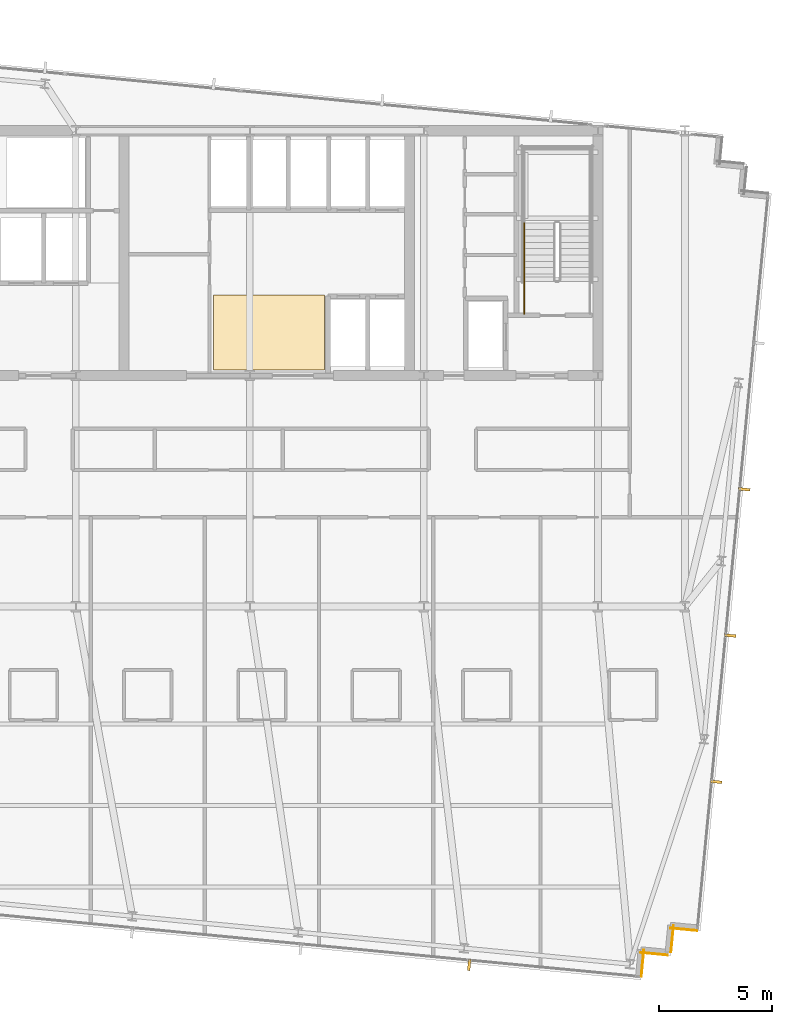
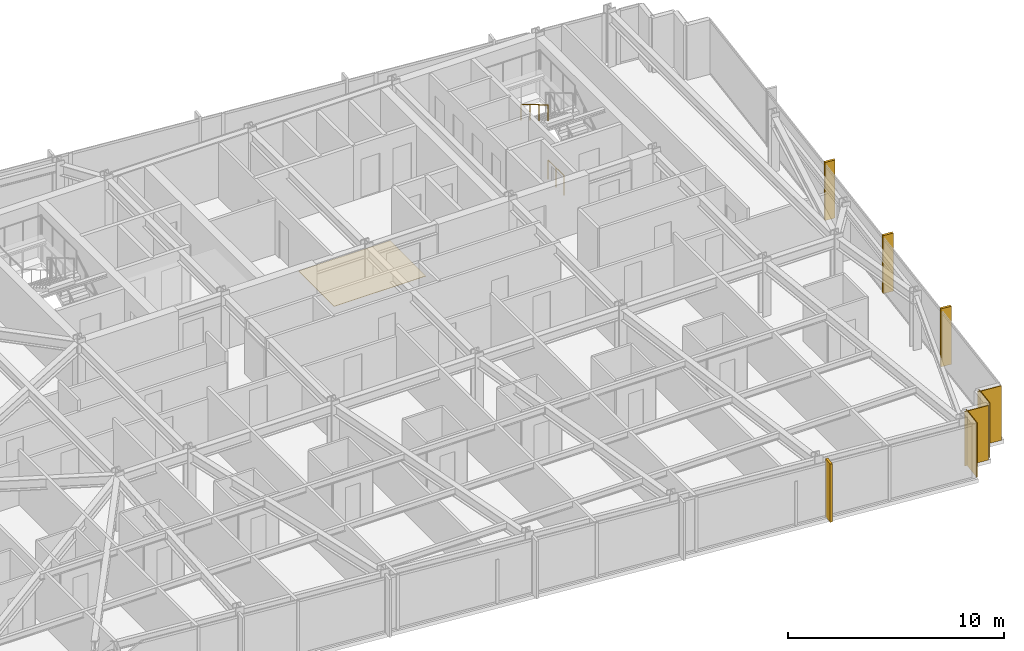
# One storey, part 35 of 38: 5 coverings, 4 shading devices, 2 railings.
"""IFC4 building model written with IfcOpenShell, lengths in metres."""

from ifc_helpers import new_model, si_unit, direction, frame, frame_2d, origin, origin_2d, place, context, subcontext, project, spatial, polyline, rectangle, circle, outline, extrude, material, layer, layer_set, type_object, element, save


model = new_model("IFC4")

# Units and contexts
model_context = context("Model", 3, precision=1e-05, world=origin(), true_north=direction((0.0, 1.0)))
body_context = subcontext(model_context, "Body", "Model", "MODEL_VIEW")
ifc_project = project(units=[si_unit("LENGTHUNIT", "METRE"), si_unit("AREAUNIT", "SQUARE_METRE"), si_unit("VOLUMEUNIT", "CUBIC_METRE"), si_unit("PLANEANGLEUNIT", "RADIAN"), si_unit("MASSUNIT", "GRAM", prefix="KILO")], contexts=[model_context])

# Site, building, storey
site_placement = place(None, origin())
site = spatial("IfcSite", under=ifc_project, at=site_placement, CompositionType="ELEMENT")
building_placement = place(site_placement, origin())
building = spatial("IfcBuilding", under=site, at=building_placement, Name="Yelkora Congress Tower", CompositionType="ELEMENT")
storey_placement = place(building_placement, frame((0.0, 0.0, 178.699951171875)))
storey = spatial("IfcBuildingStorey", under=building, at=storey_placement, Name="L49", CompositionType="ELEMENT", Elevation=178.699951171875)

# Coverings
ifc_material_1 = material(Name="Anatolian bush-hammered limestone", Category="masonry")
ifc_layer_1 = layer(ifc_material_1, 0.0400390625)
ifc_layer_set_1 = layer_set([ifc_layer_1], Name="Anatolian bush-hammered limestone")
covering_type_1 = type_object("IfcCoveringType", Name="COV-CLAD-SPANDREL-40", PredefinedType="CLADDING", material=ifc_layer_set_1)
covering_1_placement = place(storey_placement, frame((58.1474609375, 10.898681640625, 0.0), z_axis=(0.0, 0.0, 1.0), x_axis=(-0.995379537303, 0.096018626938, 0.0)))
element("IfcCovering", 1, at=covering_1_placement, inside=storey, type_object=covering_type_1, Name="L49 Anatolian Limestone Cladding EW-L49-SR16", PredefinedType="CLADDING", context=body_context, shape_type="SweptSolid", body=[
    extrude(rectangle(XDim=1.2001953125, YDim=0.0400390625, at=frame_2d((0.60009765625, 0.0))), origin(), (0.0, 0.0, 1.0), 3.080078125),
])
covering_2_placement = place(storey_placement, frame((57.10009765625, 11.13525390625, 0.0), z_axis=(0.0, 0.0, 1.0), x_axis=(-0.095836473879, -0.995397091755, 0.0)))
element("IfcCovering", 2, at=covering_2_placement, inside=storey, type_object=covering_type_1, Name="L49 Anatolian Limestone Cladding EW-L49-SR17", PredefinedType="CLADDING", context=body_context, shape_type="SweptSolid", body=[
    extrude(rectangle(XDim=1.199951171875, YDim=0.0400390625, at=frame_2d((0.60009765625, 0.0))), origin(), (0.0, 0.0, 1.0), 3.080078125),
])
for number, where, z_axis, x_axis, name in (
    (3, (56.837890625, 9.8193359375, 0.0), (0.0, 0.0, 1.0), (-0.995398960025, 0.095817067274, 0.0), "L49 Anatolian Limestone Cladding EW-L49-SR18"),
    (4, (55.790771484375, 10.055908203125, 0.0), (0.0, 0.0, 1.0), (-0.095817067274, -0.995398960025, 0.0), "L49 Anatolian Limestone Cladding EW-L49-SR19"),
):
    element("IfcCovering", number, at=place(storey_placement, frame(where, z_axis=z_axis, x_axis=x_axis)), inside=storey, type_object=covering_type_1, Name=name, PredefinedType="CLADDING", context=body_context, shape_type="SweptSolid", body=[
        extrude(rectangle(XDim=1.2001953125, YDim=0.0400390625, at=frame_2d((0.60009765625, 0.0))), origin(), (0.0, 0.0, 1.0), 3.080078125),
    ])
ifc_material_2 = material(Name="Polished Anatolian grey granite tile", Category="masonry")
ifc_layer_2 = layer(ifc_material_2, 0.02001953125)
ifc_layer_set_2 = layer_set([ifc_layer_2], Name="Polished Anatolian grey granite tile")
covering_type_2 = type_object("IfcCoveringType", Name="COV-FLOOR-GRANITE-20", PredefinedType="FLOORING", material=ifc_layer_set_2)
covering_3_placement = place(storey_placement, origin())
element("IfcCovering", 5, at=covering_3_placement, inside=storey, type_object=covering_type_2, Name="L49 Lift Lobby Granite Flooring", PredefinedType="FLOORING", context=body_context, shape_type="SweptSolid", body=[
    extrude(outline(polyline([(36.800048828125, 35.64990234375), (41.699951171875, 35.64990234375), (41.699951171875, 38.949951171875), (36.800048828125, 38.949951171875), (36.800048828125, 35.64990234375)])), origin(), (0.0, 0.0, 1.0), 0.02001953125),
])

# Railings
ifc_material_3 = material(Name="Painted galvanised steel stair well guard with vertical infill", Category="steel")
ifc_layer_3 = layer(ifc_material_3, 0.06005859375)
ifc_layer_set_3 = layer_set([ifc_layer_3], Name="Painted galvanised steel stair well guard with vertical infill")
railing_type_1 = type_object("IfcRailingType", Name="RAIL-STAIR-GUARD-1120", PredefinedType="GUARDRAIL", material=ifc_layer_set_3)
railing_1_placement = place(storey_placement, frame((50.510009765625, 38.1201171875, 0.0)))
element("IfcRailing", 6, at=railing_1_placement, inside=storey, type_object=railing_type_1, Name="ST-02 L49 Stair Well Guardrail 9", PredefinedType="GUARDRAIL", context=body_context, shape_type="SweptSolid", body=[
    extrude(circle(Radius=0.02392578125, at=origin_2d()), frame((0.0, 0.0, 1.09619140625), z_axis=(0.0, 1.0, 0.0), x_axis=(-1.0, 0.0, 0.0)), (0.0, 0.0, 1.0), 1.47998046875),
    extrude(circle(Radius=0.02099609375, at=origin_2d()), origin(), (0.0, 0.0, 1.0), 1.072021484375),
    extrude(circle(Radius=0.02099609375, at=origin_2d()), frame((0.0, 0.739990234375, 0.0)), (0.0, 0.0, 1.0), 1.072021484375),
    extrude(circle(Radius=0.02099609375, at=origin_2d()), frame((0.0, 1.47998046875, 0.0)), (0.0, 0.0, 1.0), 1.072021484375),
])
ifc_material_4 = material(Name="Brushed stainless steel tubular handrail", Category="steel")
ifc_layer_4 = layer(ifc_material_4, 0.050048828125)
ifc_layer_set_4 = layer_set([ifc_layer_4], Name="Brushed stainless steel tubular handrail")
railing_type_2 = type_object("IfcRailingType", Name="RAIL-STAIR-HAND-920", PredefinedType="HANDRAIL", material=ifc_layer_set_4)
railing_2_placement = place(storey_placement, frame((50.510009765625, 42.1201171875, 1.81494140625)))
element("IfcRailing", 7, at=railing_2_placement, inside=storey, type_object=railing_type_2, Name="ST-02 L49 Pitch Handrail 2", PredefinedType="HANDRAIL", context=body_context, shape_type="SweptSolid", body=[
    extrude(circle(Radius=0.02392578125, at=origin_2d()), frame((0.0, 0.0, 0.89599609375), z_axis=(0.0, -0.86152411907, 0.507716645641), x_axis=(1.0, 0.0, 0.0)), (0.0, 0.0, 1.0), 2.925048828125),
    extrude(circle(Radius=0.02099609375, at=origin_2d()), origin(), (0.0, 0.0, 1.0), 0.871826171875),
    extrude(circle(Radius=0.02099609375, at=origin_2d()), frame((0.0, -0.840087890625, 0.4951171875)), (0.0, 0.0, 1.0), 0.871826171875),
    extrude(circle(Radius=0.02099609375, at=origin_2d()), frame((0.0, -1.679931640625, 0.989990234375)), (0.0, 0.0, 1.0), 0.871826171875),
    extrude(circle(Radius=0.02099609375, at=origin_2d()), frame((0.0, -2.52001953125, 1.485107421875)), (0.0, 0.0, 1.0), 0.871826171875),
])

# Shading devices
ifc_material_5 = material(Name="Champagne anodised aluminium", Category="aluminium")
ifc_layer_5 = layer(ifc_material_5, 3.300048828125)
ifc_layer_set_5 = layer_set([ifc_layer_5], Name="Champagne anodised aluminium")
shading_device_type = type_object("IfcShadingDeviceType", Name="SHD-FIN-ALU-520", PredefinedType="USERDEFINED", material=ifc_layer_set_5)
for number, where, z_axis, x_axis, name in (
    (8, (60.223876953125, 30.37646484375, -0.02978515625), (0.0, 0.0, 1.0), (-0.09584575252, -0.995396198367, 0.0), "L49 Vertical Anodised Solar Fin 15-2"),
    (9, (59.602294921875, 23.92236328125, -0.02978515625), (0.0, 0.0, 1.0), (-0.09584575252, -0.995396198367, 0.0), "L49 Vertical Anodised Solar Fin 15-3"),
    (10, (58.98095703125, 17.46826171875, -0.02978515625), (0.0, 0.0, 1.0), (-0.09584575252, -0.995396198367, 0.0), "L49 Vertical Anodised Solar Fin 15-4"),
    (11, (48.082275390625, 9.3916015625, -0.02978515625), (0.0, 0.0, 1.0), (-0.995396198367, 0.09584575252, 0.0), "L49 Vertical Anodised Solar Fin 20-1"),
):
    element("IfcShadingDevice", number, at=place(storey_placement, frame(where, z_axis=z_axis, x_axis=x_axis)), inside=storey, type_object=shading_device_type, Name=name, ObjectType="FIN", PredefinedType="USERDEFINED", context=body_context, shape_type="SweptSolid", body=[
        extrude(rectangle(XDim=0.1201171875, YDim=0.52001953125, at=origin_2d()), origin(), (0.0, 0.0, 1.0), 3.280029296875),
    ])

save(model, "model.ifc")
